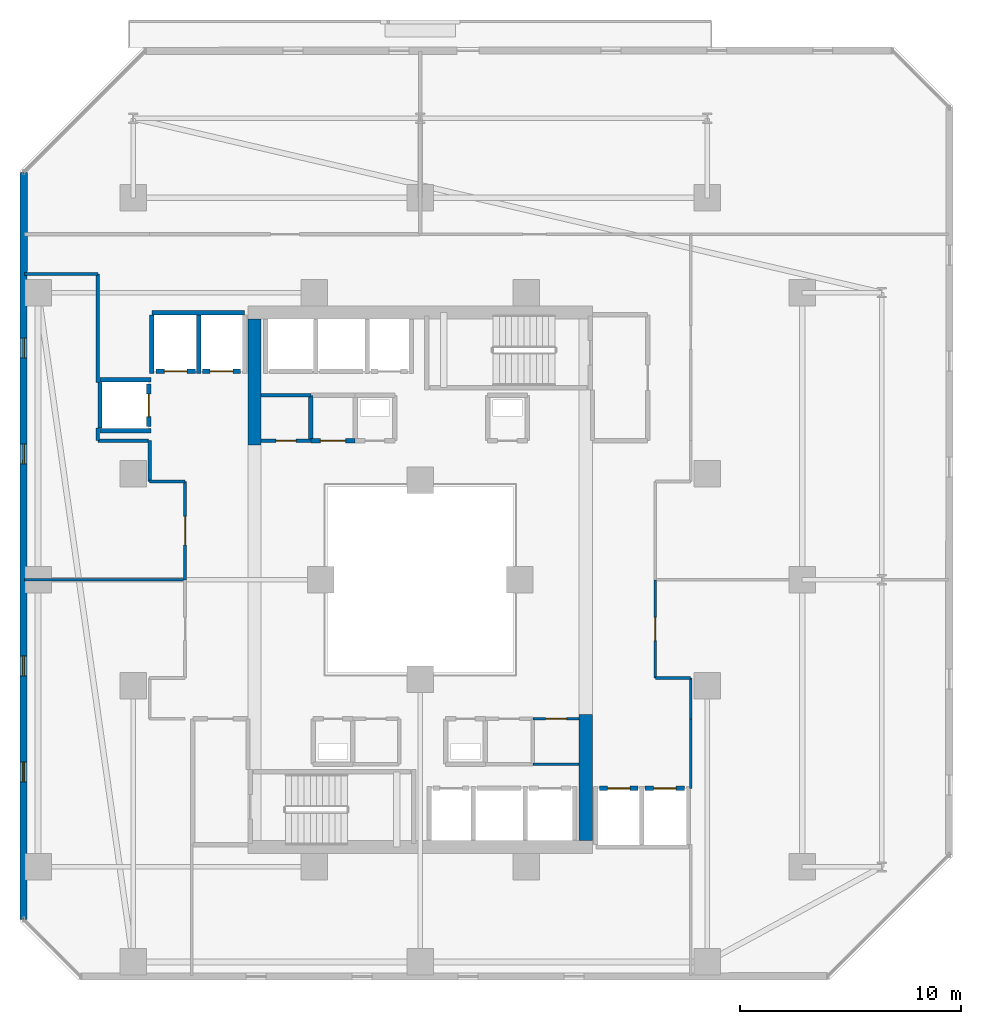
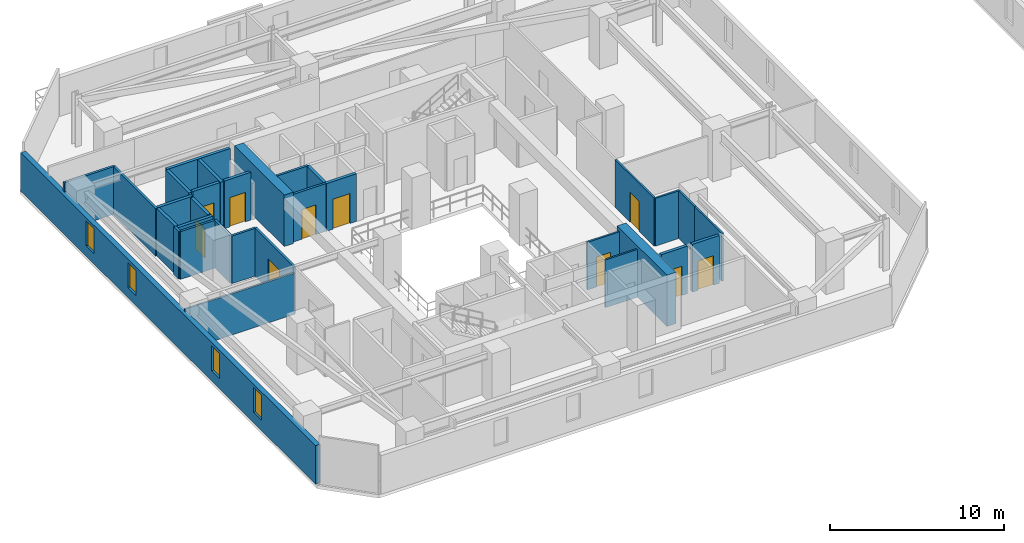
# One storey, part 17 of 29: 32 walls, 10 doors, 4 windows, 14 openings.
"""IFC4 building model written with IfcOpenShell, lengths in metres."""

import ifcopenshell
import ifcopenshell.guid

model = None  # the IFC model being written
_history = None  # IfcOwnerHistory: only IFC2X3 demands one
_inside = {}  # id of a spatial element -> (the spatial element, [elements in it])
_under = {}  # id of a project, library or spatial element -> (it, [spatial elements below it])
_declared = {}  # id of a project -> (the project, [libraries it declares])
_typed = {}  # id of a type object -> (the type object, [elements of that type])
_made_of = {}  # id of a material, layer set ... -> (it, [elements and type objects made of it])


def new_model(schema):
    """Start an empty IFC model of exactly this schema.

    Asked for "IFC4X3", IfcOpenShell would pick the latest addendum, in which some entities
    have other attributes; the version numbers below select the first issue.
    IFC2X3 requires an IfcOwnerHistory on every rooted entity: one is made here for all.
    """
    global model, _history
    if schema == "IFC4X3":
        model = ifcopenshell.file(schema_version=(4, 3, 0, 0))
    else:
        model = ifcopenshell.file(schema=schema)
    _inside.clear()
    _under.clear()
    _declared.clear()
    _typed.clear()
    _made_of.clear()
    _history = None
    if model.schema == "IFC2X3":
        org = make("IfcOrganization", Name="unknown")
        user = make(
            "IfcPersonAndOrganization",
            ThePerson=make("IfcPerson", FamilyName="unknown"),
            TheOrganization=org,
        )
        app = make(
            "IfcApplication",
            ApplicationDeveloper=org,
            Version="unknown",
            ApplicationFullName="unknown",
            ApplicationIdentifier="unknown",
        )
        _history = make(
            "IfcOwnerHistory",
            OwningUser=user,
            OwningApplication=app,
            ChangeAction="ADDED",
            CreationDate=0,
        )
    return model


def make(cls, **values):
    """One entity of the class cls with the attributes given. An attribute that is None is left unset."""
    return model.create_entity(
        cls, **{name: value for name, value in values.items() if value is not None}
    )


def rooted(cls, **values):
    """An entity with a GlobalId (a new one), such as an element, a storey or a relation."""
    return make(cls, GlobalId=ifcopenshell.guid.new(), OwnerHistory=_history, **values)


def si_unit(unit_type, name, prefix=None):
    """IfcSIUnit, for example si_unit("LENGTHUNIT", "METRE", prefix="MILLI")."""
    return make("IfcSIUnit", UnitType=unit_type, Prefix=prefix, Name=name)


def assignment(units):
    """IfcUnitAssignment: the units of a project."""
    return None if units is None else make("IfcUnitAssignment", Units=units)


def point(xyz):
    """IfcCartesianPoint."""
    return None if xyz is None else make("IfcCartesianPoint", Coordinates=xyz)


def direction(xyz):
    """IfcDirection."""
    return None if xyz is None else make("IfcDirection", DirectionRatios=xyz)


def frame(location, z_axis=None, x_axis=None):
    """IfcAxis2Placement3D, a coordinate frame: its origin and axes. An axis left out is left unset."""
    return make(
        "IfcAxis2Placement3D",
        Location=point(location),
        Axis=direction(z_axis),
        RefDirection=direction(x_axis),
    )


def frame_2d(location, x_axis=None):
    """IfcAxis2Placement2D, a coordinate frame in the plane: its origin and x axis."""
    return make(
        "IfcAxis2Placement2D", Location=point(location), RefDirection=direction(x_axis)
    )


def origin():
    """The frame at (0, 0, 0) with its axes left unset."""
    return frame((0.0, 0.0, 0.0))


def place(relative_to, where):
    """IfcLocalPlacement: puts the frame where relative to a parent placement (None: the world)."""
    return make(
        "IfcLocalPlacement", PlacementRelTo=relative_to, RelativePlacement=where
    )


def context(
    kind, dimensions, precision=None, world=None, true_north=None, identifier=None
):
    """IfcGeometricRepresentationContext, for example the 3D "Model" context."""
    return make(
        "IfcGeometricRepresentationContext",
        ContextIdentifier=identifier,
        ContextType=kind,
        CoordinateSpaceDimension=dimensions,
        Precision=precision,
        WorldCoordinateSystem=world,
        TrueNorth=true_north,
    )


def subcontext(parent, identifier, kind, view, scale=None):
    """IfcGeometricRepresentationSubContext, for example "Body" below "Model"."""
    return make(
        "IfcGeometricRepresentationSubContext",
        ContextIdentifier=identifier,
        ContextType=kind,
        ParentContext=parent,
        TargetScale=scale,
        TargetView=view,
    )


def project(units=None, contexts=None):
    """IfcProject with its units and contexts."""
    return rooted(
        "IfcProject",
        Name="project",
        RepresentationContexts=contexts,
        UnitsInContext=assignment(units),
    )


def spatial(cls, under=None, at=None, **own):
    """A site, building, storey or space (cls), placed at a placement, below another one or the project."""
    s = rooted(cls, ObjectPlacement=at, **own)
    if under is not None:
        _under.setdefault(under.id(), (under, []))[1].append(s)
    return s


def profile(cls, at=None, kind="AREA", **sizes):
    """A parametric profile (cls). Its sizes go by their IFC names, for example OverallWidth=200.0."""
    return make(cls, ProfileType=kind, Position=at, **sizes)


def rectangle(**sizes):
    """IfcRectangleProfileDef."""
    return profile("IfcRectangleProfileDef", **sizes)


def extrude(swept, where, along, depth):
    """IfcExtrudedAreaSolid: the profile swept, set in the frame where, extruded along a direction by depth."""
    return make(
        "IfcExtrudedAreaSolid",
        SweptArea=swept,
        Position=where,
        ExtrudedDirection=direction(along),
        Depth=depth,
    )


def shape(context_of_items, identifier, shape_type, items):
    """IfcShapeRepresentation: the items that make up one representation, for example the "Body"."""
    return make(
        "IfcShapeRepresentation",
        ContextOfItems=context_of_items,
        RepresentationIdentifier=identifier,
        RepresentationType=shape_type,
        Items=items,
    )


def material(Name=None, Category=None):
    """IfcMaterial."""
    return make("IfcMaterial", Name=Name, Category=Category)


def layer(
    of_material, thickness, ventilated=None, Name=None, Category=None, Priority=None
):
    """IfcMaterialLayer: one layer of a wall or slab, of a material (None: an air gap)."""
    return make(
        "IfcMaterialLayer",
        Material=of_material,
        LayerThickness=thickness,
        IsVentilated=ventilated,
        Name=Name,
        Category=Category,
        Priority=Priority,
    )


def layer_set(layers, Name=None):
    """IfcMaterialLayerSet."""
    return make("IfcMaterialLayerSet", MaterialLayers=layers, LayerSetName=Name)


def made_of(thing, what):
    """Note that an element or type object is made of a material, layer set ...; save() writes the relation."""
    if what is not None:
        _made_of.setdefault(what.id(), (what, []))[1].append(thing)
    return thing


def type_object(cls, material=None, **own):
    """A type object (cls), such as IfcWallType, which elements share."""
    return made_of(rooted(cls, **own), material)


def element(
    cls,
    number,
    at=None,
    inside=None,
    cuts=None,
    type_object=None,
    material=None,
    context=None,
    identifier="Body",
    shape_type=None,
    held_by="IfcProductDefinitionShape",
    body=None,
    shapes=None,
    **own,
):
    """One element of the class cls, such as IfcWall. Its Tag is "e" and its number.

    at: its placement. inside: the storey or other place that contains it. cuts: it is an
    opening in that element (IfcRelVoidsElement). A single representation is given by context,
    identifier, shape_type and body (its items); several are given by shapes. held_by: the class
    of the entity that holds the representations. save() writes the other relations.
    """
    e = rooted(cls, Tag="e%d" % number, ObjectPlacement=at, **own)
    if body is not None:
        shapes = [shape(context, identifier, shape_type, body)]
    if shapes is not None:
        e.Representation = make(held_by, Representations=shapes)
    if inside is not None:
        _inside.setdefault(inside.id(), (inside, []))[1].append(e)
    if cuts is not None:
        rooted(
            "IfcRelVoidsElement", RelatingBuildingElement=cuts, RelatedOpeningElement=e
        )
    if type_object is not None:
        _typed.setdefault(type_object.id(), (type_object, []))[1].append(e)
    return made_of(e, material)


def fill(opening, filler):
    """IfcRelFillsElement: the door or window that sits in an opening."""
    return rooted(
        "IfcRelFillsElement",
        RelatingOpeningElement=opening,
        RelatedBuildingElement=filler,
    )


def aggregate(whole, parts):
    """IfcRelAggregates: a whole, such as a stair, and the parts it consists of."""
    return rooted("IfcRelAggregates", RelatingObject=whole, RelatedObjects=parts)


def save(model, path):
    """Write the relations noted so far, then the file.

    IfcRelAggregates (storeys below a building ...), IfcRelContainedInSpatialStructure (elements
    in a storey), IfcRelDefinesByType, IfcRelAssociatesMaterial and IfcRelDeclares: one each for
    every whole, place, type object, material and project.
    """
    for whole, parts in _under.values():
        aggregate(whole, parts)
    for where, things in _inside.values():
        rooted(
            "IfcRelContainedInSpatialStructure",
            RelatedElements=things,
            RelatingStructure=where,
        )
    for kind, things in _typed.values():
        rooted("IfcRelDefinesByType", RelatedObjects=things, RelatingType=kind)
    for what, things in _made_of.values():
        rooted("IfcRelAssociatesMaterial", RelatedObjects=things, RelatingMaterial=what)
    for by, libraries in _declared.values():
        rooted("IfcRelDeclares", RelatingContext=by, RelatedDefinitions=libraries)
    model.write(path)


model = new_model("IFC4")

# Units and contexts
model_context = context("Model", 3, precision=1e-05, world=origin(), true_north=direction((0.0, 1.0)))
body_context = subcontext(model_context, "Body", "Model", "MODEL_VIEW")
ifc_project = project(units=[si_unit("LENGTHUNIT", "METRE"), si_unit("AREAUNIT", "SQUARE_METRE"), si_unit("VOLUMEUNIT", "CUBIC_METRE"), si_unit("PLANEANGLEUNIT", "RADIAN"), si_unit("MASSUNIT", "GRAM", prefix="KILO")], contexts=[model_context])

# Site, building, storey
site_placement = place(None, origin())
site = spatial("IfcSite", under=ifc_project, at=site_placement, CompositionType="ELEMENT")
building_placement = place(site_placement, origin())
building = spatial("IfcBuilding", under=site, at=building_placement, Name="Thornwick Lancets Civic Towers", CompositionType="ELEMENT")
storey_placement = place(building_placement, frame((0.0, 0.0, 83.699951171875)))
storey = spatial("IfcBuildingStorey", under=building, at=storey_placement, Name="L21", CompositionType="ELEMENT", Elevation=83.699951171875)

# Wall, opening, door
ifc_material_1 = material(Name="Concrete blockwork C40/50", Category="masonry")
ifc_layer_1 = layer(ifc_material_1, 0.199951171875, Name="Concrete blockwork C40/50")
ifc_layer_set_1 = layer_set([ifc_layer_1], Name="Concrete blockwork C40/50")
wall_type_1 = type_object("IfcWallType", Name="WALL_COMP_200", PredefinedType="STANDARD", material=ifc_layer_set_1)
wall_1_placement = place(storey_placement, frame((33.6298828125, 17.550048828125, 0.0), z_axis=(0.0, 0.0, 1.0), x_axis=(1.0, 0.0, 0.0)))
wall_1 = element("IfcWall", 1, at=wall_1_placement, inside=storey, type_object=wall_type_1, Name="L21 Hoistway Front Wall PL-AL2", PredefinedType="STANDARD", context=body_context, shape_type="SweptSolid", body=[
    extrude(rectangle(XDim=1.740234375, YDim=0.199951171875, at=frame_2d((0.8701171875, 0.0))), origin(), (0.0, 0.0, 1.0), 3.340087890625),
])
opening_1_placement = place(wall_1_placement, frame((0.360107421875, 0.0, 0.0)))
opening_1 = element("IfcOpeningElement", 2, at=opening_1_placement, cuts=wall_1, Name="Opening LD-PL-AL2", PredefinedType="OPENING", context=body_context, shape_type="SweptSolid", body=[
    extrude(rectangle(XDim=1.02001953125, YDim=2.06005859375, at=frame_2d((0.510009765625, 1.030029296875))), frame((0.0, 0.10986328125, 0.0), z_axis=(0.0, -1.0, 0.0), x_axis=(1.0, 0.0, 0.0)), (0.0, 0.0, 1.0), 0.219970703125),
])
ifc_material_2 = material(Name="Brushed bronze stainless steel", Category="steel")
door_type_1 = type_object("IfcDoorType", Name="DOOR_LIFT_SLIDE", OperationType="SLIDING_TO_LEFT", PredefinedType="DOOR", material=ifc_material_2)
door_1_placement = place(opening_1_placement, origin())
door_1 = element("IfcDoor", 3, at=door_1_placement, inside=storey, type_object=door_type_1, Name="L21 Sliding Lift Landing Door LD-PL-AL2", OperationType="SLIDING_TO_LEFT", OverallHeight=2.06005859375, OverallWidth=1.02001953125, PredefinedType="DOOR", context=body_context, shape_type="SweptSolid", body=[
    extrude(rectangle(XDim=1.02001953125, YDim=2.06005859375, at=frame_2d((0.510009765625, 1.030029296875))), frame((0.0, 0.02490234375, 0.0), z_axis=(0.0, -1.0, 0.0), x_axis=(1.0, 0.0, 0.0)), (0.0, 0.0, 1.0), 0.050048828125),
])
fill(opening_1, door_1)

wall_2_placement = place(storey_placement, frame((35.679931640625, 17.550048828125, 0.0), z_axis=(0.0, 0.0, 1.0), x_axis=(1.0, 0.0, 0.0)))
wall_2 = element("IfcWall", 4, at=wall_2_placement, inside=storey, type_object=wall_type_1, Name="L21 Hoistway Front Wall PL-AL3", PredefinedType="STANDARD", context=body_context, shape_type="SweptSolid", body=[
    extrude(rectangle(XDim=1.7900390625, YDim=0.199951171875, at=frame_2d((0.89501953125, 0.0))), origin(), (0.0, 0.0, 1.0), 3.340087890625),
])
opening_2_placement = place(wall_2_placement, frame((0.385009765625, 0.0, 0.0)))
opening_2 = element("IfcOpeningElement", 5, at=opening_2_placement, cuts=wall_2, Name="Opening LD-PL-AL3", PredefinedType="OPENING", context=body_context, shape_type="SweptSolid", body=[
    extrude(rectangle(XDim=1.02001953125, YDim=2.06005859375, at=frame_2d((0.510009765625, 1.030029296875))), frame((0.0, 0.10986328125, 0.0), z_axis=(0.0, -1.0, 0.0), x_axis=(1.0, 0.0, 0.0)), (0.0, 0.0, 1.0), 0.219970703125),
])
door_2_placement = place(opening_2_placement, origin())
door_2 = element("IfcDoor", 6, at=door_2_placement, inside=storey, type_object=door_type_1, Name="L21 Sliding Lift Landing Door LD-PL-AL3", OperationType="SLIDING_TO_LEFT", OverallHeight=2.06005859375, OverallWidth=1.02001953125, PredefinedType="DOOR", context=body_context, shape_type="SweptSolid", body=[
    extrude(rectangle(XDim=1.02001953125, YDim=2.06005859375, at=frame_2d((0.510009765625, 1.030029296875))), frame((0.0, 0.02490234375, 0.0), z_axis=(0.0, -1.0, 0.0), x_axis=(1.0, 0.0, 0.0)), (0.0, 0.0, 1.0), 0.050048828125),
])
fill(opening_2, door_2)

wall_3_placement = place(storey_placement, frame((17.3701171875, 36.449951171875, 0.0), z_axis=(0.0, 0.0, 1.0), x_axis=(-1.0, 0.0, 0.0)))
wall_3 = element("IfcWall", 7, at=wall_3_placement, inside=storey, type_object=wall_type_1, Name="L21 Hoistway Front Wall PL-AM1", PredefinedType="STANDARD", context=body_context, shape_type="SweptSolid", body=[
    extrude(rectangle(XDim=1.740234375, YDim=0.199951171875, at=frame_2d((0.8701171875, 0.0))), origin(), (0.0, 0.0, 1.0), 3.340087890625),
])
opening_3_placement = place(wall_3_placement, frame((0.360107421875, 0.0, 0.0)))
opening_3 = element("IfcOpeningElement", 8, at=opening_3_placement, cuts=wall_3, Name="Opening LD-PL-AM1", PredefinedType="OPENING", context=body_context, shape_type="SweptSolid", body=[
    extrude(rectangle(XDim=1.02001953125, YDim=2.06005859375, at=frame_2d((0.510009765625, 1.030029296875))), frame((0.0, 0.10986328125, 0.0), z_axis=(0.0, -1.0, 0.0), x_axis=(1.0, 0.0, 0.0)), (0.0, 0.0, 1.0), 0.219970703125),
])
door_3_placement = place(opening_3_placement, origin())
door_3 = element("IfcDoor", 9, at=door_3_placement, inside=storey, type_object=door_type_1, Name="L21 Sliding Lift Landing Door LD-PL-AM1", OperationType="SLIDING_TO_LEFT", OverallHeight=2.06005859375, OverallWidth=1.02001953125, PredefinedType="DOOR", context=body_context, shape_type="SweptSolid", body=[
    extrude(rectangle(XDim=1.02001953125, YDim=2.06005859375, at=frame_2d((0.510009765625, 1.030029296875))), frame((0.0, 0.02490234375, 0.0), z_axis=(0.0, -1.0, 0.0), x_axis=(1.0, 0.0, 0.0)), (0.0, 0.0, 1.0), 0.050048828125),
])
fill(opening_3, door_3)

wall_4_placement = place(storey_placement, frame((15.320068359375, 36.449951171875, 0.0), z_axis=(0.0, 0.0, 1.0), x_axis=(-1.0, 0.0, 0.0)))
wall_4 = element("IfcWall", 10, at=wall_4_placement, inside=storey, type_object=wall_type_1, Name="L21 Hoistway Front Wall PL-AM2", PredefinedType="STANDARD", context=body_context, shape_type="SweptSolid", body=[
    extrude(rectangle(XDim=1.7900390625, YDim=0.199951171875, at=frame_2d((0.89501953125, 0.0))), origin(), (0.0, 0.0, 1.0), 3.340087890625),
])
opening_4_placement = place(wall_4_placement, frame((0.385009765625, 0.0, 0.0)))
opening_4 = element("IfcOpeningElement", 11, at=opening_4_placement, cuts=wall_4, Name="Opening LD-PL-AM2", PredefinedType="OPENING", context=body_context, shape_type="SweptSolid", body=[
    extrude(rectangle(XDim=1.02001953125, YDim=2.06005859375, at=frame_2d((0.510009765625, 1.030029296875))), frame((0.0, 0.10986328125, 0.0), z_axis=(0.0, -1.0, 0.0), x_axis=(1.0, 0.0, 0.0)), (0.0, 0.0, 1.0), 0.219970703125),
])
door_4_placement = place(opening_4_placement, origin())
door_4 = element("IfcDoor", 12, at=door_4_placement, inside=storey, type_object=door_type_1, Name="L21 Sliding Lift Landing Door LD-PL-AM2", OperationType="SLIDING_TO_LEFT", OverallHeight=2.06005859375, OverallWidth=1.02001953125, PredefinedType="DOOR", context=body_context, shape_type="SweptSolid", body=[
    extrude(rectangle(XDim=1.02001953125, YDim=2.06005859375, at=frame_2d((0.510009765625, 1.030029296875))), frame((0.0, 0.02490234375, 0.0), z_axis=(0.0, -1.0, 0.0), x_axis=(1.0, 0.0, 0.0)), (0.0, 0.0, 1.0), 0.050048828125),
])
fill(opening_4, door_4)

wall_5_placement = place(storey_placement, frame((13.199951171875, 33.929931640625, 0.0), z_axis=(0.0, 0.0, 1.0), x_axis=(0.0, 1.0, 0.0)))
wall_5 = element("IfcWall", 13, at=wall_5_placement, inside=storey, type_object=wall_type_1, Name="L21 Hoistway Front Wall PL-AM3", PredefinedType="STANDARD", context=body_context, shape_type="SweptSolid", body=[
    extrude(rectangle(XDim=1.940185546875, YDim=0.199951171875, at=frame_2d((0.97021484375, 0.0))), origin(), (0.0, 0.0, 1.0), 3.340087890625),
])
opening_5_placement = place(wall_5_placement, frame((0.4599609375, 0.0, 0.0)))
opening_5 = element("IfcOpeningElement", 14, at=opening_5_placement, cuts=wall_5, Name="Opening LD-PL-AM3", PredefinedType="OPENING", context=body_context, shape_type="SweptSolid", body=[
    extrude(rectangle(XDim=1.02001953125, YDim=2.06005859375, at=frame_2d((0.510009765625, 1.030029296875))), frame((0.0, 0.10986328125, 0.0), z_axis=(0.0, -1.0, 0.0), x_axis=(1.0, 0.0, 0.0)), (0.0, 0.0, 1.0), 0.219970703125),
])
door_5_placement = place(opening_5_placement, origin())
door_5 = element("IfcDoor", 15, at=door_5_placement, inside=storey, type_object=door_type_1, Name="L21 Sliding Lift Landing Door LD-PL-AM3", OperationType="SLIDING_TO_LEFT", OverallHeight=2.06005859375, OverallWidth=1.02001953125, PredefinedType="DOOR", context=body_context, shape_type="SweptSolid", body=[
    extrude(rectangle(XDim=1.02001953125, YDim=2.06005859375, at=frame_2d((0.510009765625, 1.030029296875))), frame((0.0, 0.02490234375, 0.0), z_axis=(0.0, -1.0, 0.0), x_axis=(1.0, 0.0, 0.0)), (0.0, 0.0, 1.0), 0.050048828125),
])
fill(opening_5, door_5)

# Walls
wall_6_placement = place(storey_placement, frame((13.35205078125, 39.10009765625, 0.0), z_axis=(0.0, 0.0, 1.0), x_axis=(1.0, 0.0, 0.0)))
element("IfcWall", 16, at=wall_6_placement, inside=storey, type_object=wall_type_1, Name="L21 Hoistway Shaft Wall PL-AM1 N", PredefinedType="STANDARD", context=body_context, shape_type="SweptSolid", body=[
    extrude(rectangle(XDim=4.196044921875, YDim=0.199951171875, at=frame_2d((2.09814453125, 0.0))), origin(), (0.0, 0.0, 1.0), 3.340087890625),
])
for number, where, z_axis, x_axis, name in (
    (17, (15.47509765625, 36.35205078125, 0.0), (0.0, 0.0, 1.0), (0.0, 1.0, 0.0), "L21 Hoistway Shaft Wall PL-AM1 W"),
    (18, (13.35009765625, 36.35205078125, 0.0), (0.0, 0.0, 1.0), (0.0, 1.0, 0.0), "L21 Hoistway Shaft Wall PL-AM2 W"),
):
    element("IfcWall", number, at=place(storey_placement, frame(where, z_axis=z_axis, x_axis=x_axis)), inside=storey, type_object=wall_type_1, Name=name, PredefinedType="STANDARD", context=body_context, shape_type="SweptSolid", body=[
        extrude(rectangle(XDim=2.635986328125, YDim=0.199951171875, at=frame_2d((1.31787109375, 0.0))), origin(), (0.0, 0.0, 1.0), 3.340087890625),
    ])
for number, where, z_axis, x_axis, name in (
    (19, (11.001953125, 36.050048828125, 0.0), (0.0, 0.0, 1.0), (1.0, 0.0, 0.0), "L21 Hoistway Shaft Wall PL-AM3 N"),
    (20, (11.001953125, 33.75, 0.0), (0.0, 0.0, 1.0), (1.0, 0.0, 0.0), "L21 Hoistway Shaft Wall PL-AM3 S"),
):
    element("IfcWall", number, at=place(storey_placement, frame(where, z_axis=z_axis, x_axis=x_axis)), inside=storey, type_object=wall_type_1, Name=name, PredefinedType="STANDARD", context=body_context, shape_type="SweptSolid", body=[
        extrude(rectangle(XDim=2.296142578125, YDim=0.199951171875, at=frame_2d((1.14794921875, 0.0))), origin(), (0.0, 0.0, 1.0), 3.340087890625),
    ])
wall_7_placement = place(storey_placement, frame((11.0, 33.862060546875, 0.0), z_axis=(0.0, 0.0, 1.0), x_axis=(0.0, 1.0, 0.0)))
element("IfcWall", 21, at=wall_7_placement, inside=storey, type_object=wall_type_1, Name="L21 Hoistway Shaft Wall PL-AM3 W", PredefinedType="STANDARD", context=body_context, shape_type="SweptSolid", body=[
    extrude(rectangle(XDim=2.075927734375, YDim=0.199951171875, at=frame_2d((1.0380859375, 0.0))), origin(), (0.0, 0.0, 1.0), 3.340087890625),
])
wall_8_placement = place(storey_placement, frame((20.550048828125, 33.300048828125, 0.0), z_axis=(0.0, 0.0, 1.0), x_axis=(0.0, 1.0, 0.0)))
element("IfcWall", 22, at=wall_8_placement, inside=storey, type_object=wall_type_1, Name="L21 Partition L21-A-STR E1", PredefinedType="STANDARD", context=body_context, shape_type="SweptSolid", body=[
    extrude(rectangle(XDim=2.050048828125, YDim=0.199951171875, at=frame_2d((1.02490234375, 0.0))), origin(), (0.0, 0.0, 1.0), 3.340087890625),
])

# Wall, opening, door
wall_9_placement = place(storey_placement, frame((22.550048828125, 33.300048828125, 0.0), z_axis=(0.0, 0.0, 1.0), x_axis=(-1.0, 0.0, 0.0)))
wall_9 = element("IfcWall", 23, at=wall_9_placement, inside=storey, type_object=wall_type_1, Name="L21 Partition L21-A-STR E4", PredefinedType="STANDARD", context=body_context, shape_type="SweptSolid", body=[
    extrude(rectangle(XDim=2.0, YDim=0.199951171875, at=frame_2d((1.0, 0.0))), origin(), (0.0, 0.0, 1.0), 3.340087890625),
])
opening_6_placement = place(wall_9_placement, frame((0.425048828125, 0.0, 0.0)))
opening_6 = element("IfcOpeningElement", 24, at=opening_6_placement, cuts=wall_9, Name="Opening D-L21-0979", PredefinedType="OPENING", context=body_context, shape_type="SweptSolid", body=[
    extrude(rectangle(XDim=1.14990234375, YDim=2.10009765625, at=frame_2d((0.574951171875, 1.050048828125))), frame((0.0, 0.10986328125, 0.0), z_axis=(0.0, -1.0, 0.0), x_axis=(1.0, 0.0, 0.0)), (0.0, 0.0, 1.0), 0.219970703125),
])
ifc_material_3 = material(Name="Glazed fire-resisting steel", Category="steel")
door_type_2 = type_object("IfcDoorType", Name="DOOR_LOBBY_FD60", OperationType="NOTDEFINED", PredefinedType="DOOR", material=ifc_material_3)
door_6_placement = place(opening_6_placement, origin())
door_6 = element("IfcDoor", 25, at=door_6_placement, inside=storey, type_object=door_type_2, Name="L21 Tower A Core Records Store Door", OperationType="SINGLE_SWING_RIGHT", OverallHeight=2.10009765625, OverallWidth=1.14990234375, PredefinedType="DOOR", context=body_context, shape_type="SweptSolid", body=[
    extrude(rectangle(XDim=1.14990234375, YDim=2.10009765625, at=frame_2d((0.574951171875, 1.050048828125))), frame((0.0, 0.02490234375, 0.0), z_axis=(0.0, -1.0, 0.0), x_axis=(1.0, 0.0, 0.0)), (0.0, 0.0, 1.0), 0.050048828125),
])
fill(opening_6, door_6)

# Walls
ifc_material_4 = material(Name="Concrete C60/75", Category="concrete")
ifc_layer_2 = layer(ifc_material_4, 0.60009765625, Name="Concrete C60/75")
ifc_layer_set_2 = layer_set([ifc_layer_2], Name="Concrete C60/75")
wall_type_2 = type_object("IfcWallType", Name="WALL_CORE_600", PredefinedType="SHEAR", material=ifc_layer_set_2)
for number, where, z_axis, x_axis, name in (
    (26, (33.0, 15.199951171875, 0.0), (0.0, 0.0, 1.0), (0.0, 1.0, 0.0), "L21 Split Core A1 Shear Wall E"),
    (27, (18.0, 33.10009765625, 0.0), (0.0, 0.0, 1.0), (0.0, 1.0, 0.0), "L21 Split Core A2 Shear Wall W"),
):
    element("IfcWall", number, at=place(storey_placement, frame(where, z_axis=z_axis, x_axis=x_axis)), inside=storey, type_object=wall_type_2, Name=name, PredefinedType="SHEAR", context=body_context, shape_type="SweptSolid", body=[
        extrude(rectangle(XDim=5.699951171875, YDim=0.60009765625, at=frame_2d((2.85009765625, 0.0))), origin(), (0.0, 0.0, 1.0), 3.60009765625),
    ])

# Wall, openings, windows
ifc_material_5 = material(Name="Insulated buff terracotta rainscreen on concrete C40/50", Category="masonry")
ifc_layer_3 = layer(ifc_material_5, 0.320068359375, Name="Insulated buff terracotta rainscreen on concrete C40/50")
ifc_layer_set_3 = layer_set([ifc_layer_3], Name="Insulated buff terracotta rainscreen on concrete C40/50")
wall_type_3 = type_object("IfcWallType", Name="WALL_EXT_TERRA_320", PredefinedType="STANDARD", material=ifc_layer_set_3)
wall_10_placement = place(storey_placement, frame((7.544921875, 45.4482421875, 0.0), z_axis=(0.0, 0.0, 1.0), x_axis=(-0.000281454314, -0.999999960392, 0.0)))
wall_10 = element("IfcWall", 28, at=wall_10_placement, inside=storey, type_object=wall_type_3, Name="L21 Tower A Terracotta Facade Wall E6", PredefinedType="STANDARD", context=body_context, shape_type="SweptSolid", body=[
    extrude(rectangle(XDim=33.82958984375, YDim=0.320068359375, at=frame_2d((16.914794921875, 0.0))), origin(), (0.0, 0.0, 1.0), 2.699951171875),
])
opening_7_placement = place(wall_10_placement, frame((7.5, 0.0, 0.719970703125)))
opening_7 = element("IfcOpeningElement", 29, at=opening_7_placement, cuts=wall_10, Name="Opening WL-01", PredefinedType="OPENING", context=body_context, shape_type="SweptSolid", body=[
    extrude(rectangle(XDim=0.89990234375, YDim=1.75, at=frame_2d((0.449951171875, 0.875))), frame((0.0, 0.169921875, 0.0), z_axis=(0.0, -1.0, 0.0), x_axis=(1.0, 0.0, 0.0)), (0.0, 0.0, 1.0), 0.340087890625),
])
opening_8_placement = place(wall_10_placement, frame((12.300048828125, 0.0, 0.719970703125)))
opening_8 = element("IfcOpeningElement", 30, at=opening_8_placement, cuts=wall_10, Name="Opening WL-01", PredefinedType="OPENING", context=body_context, shape_type="SweptSolid", body=[
    extrude(rectangle(XDim=0.89990234375, YDim=1.75, at=frame_2d((0.449951171875, 0.875))), frame((0.0, 0.169921875, 0.0), z_axis=(0.0, -1.0, 0.0), x_axis=(1.0, 0.0, 0.0)), (0.0, 0.0, 1.0), 0.340087890625),
])
opening_9_placement = place(wall_10_placement, frame((21.89990234375, 0.0, 0.719970703125)))
opening_9 = element("IfcOpeningElement", 31, at=opening_9_placement, cuts=wall_10, Name="Opening WL-01", PredefinedType="OPENING", context=body_context, shape_type="SweptSolid", body=[
    extrude(rectangle(XDim=0.89990234375, YDim=1.75, at=frame_2d((0.449951171875, 0.875))), frame((0.0, 0.169921875, 0.0), z_axis=(0.0, -1.0, 0.0), x_axis=(1.0, 0.0, 0.0)), (0.0, 0.0, 1.0), 0.340087890625),
])
opening_10_placement = place(wall_10_placement, frame((26.699951171875, 0.0, 0.719970703125)))
opening_10 = element("IfcOpeningElement", 32, at=opening_10_placement, cuts=wall_10, Name="Opening WL-01", PredefinedType="OPENING", context=body_context, shape_type="SweptSolid", body=[
    extrude(rectangle(XDim=0.89990234375, YDim=1.75, at=frame_2d((0.449951171875, 0.875))), frame((0.0, 0.169921875, 0.0), z_axis=(0.0, -1.0, 0.0), x_axis=(1.0, 0.0, 0.0)), (0.0, 0.0, 1.0), 0.340087890625),
])
ifc_material_6 = material(Name="Clear low-e double glazing in bronze frame", Category="glass")
window_type = type_object("IfcWindowType", Name="WIN_LANCET_900", PartitioningType="SINGLE_PANEL", PredefinedType="WINDOW", material=ifc_material_6)
window_1_placement = place(opening_7_placement, origin())
window_1 = element("IfcWindow", 33, at=window_1_placement, inside=storey, type_object=window_type, Name="L21 Tower A Staggered Lancet Window E6-1", OverallHeight=1.75, OverallWidth=0.89990234375, PartitioningType="SINGLE_PANEL", PredefinedType="WINDOW", context=body_context, shape_type="SweptSolid", body=[
    extrude(rectangle(XDim=0.89990234375, YDim=1.75, at=frame_2d((0.449951171875, 0.875))), frame((0.0, 0.030029296875, 0.0), z_axis=(0.0, -1.0, 0.0), x_axis=(1.0, 0.0, 0.0)), (0.0, 0.0, 1.0), 0.06005859375),
])
fill(opening_7, window_1)
window_2_placement = place(opening_8_placement, origin())
window_2 = element("IfcWindow", 34, at=window_2_placement, inside=storey, type_object=window_type, Name="L21 Tower A Staggered Lancet Window E6-2", OverallHeight=1.75, OverallWidth=0.89990234375, PartitioningType="SINGLE_PANEL", PredefinedType="WINDOW", context=body_context, shape_type="SweptSolid", body=[
    extrude(rectangle(XDim=0.89990234375, YDim=1.75, at=frame_2d((0.449951171875, 0.875))), frame((0.0, 0.030029296875, 0.0), z_axis=(0.0, -1.0, 0.0), x_axis=(1.0, 0.0, 0.0)), (0.0, 0.0, 1.0), 0.06005859375),
])
fill(opening_8, window_2)
window_3_placement = place(opening_9_placement, origin())
window_3 = element("IfcWindow", 35, at=window_3_placement, inside=storey, type_object=window_type, Name="L21 Tower A Staggered Lancet Window E6-3", OverallHeight=1.75, OverallWidth=0.89990234375, PartitioningType="SINGLE_PANEL", PredefinedType="WINDOW", context=body_context, shape_type="SweptSolid", body=[
    extrude(rectangle(XDim=0.89990234375, YDim=1.75, at=frame_2d((0.449951171875, 0.875))), frame((0.0, 0.030029296875, 0.0), z_axis=(0.0, -1.0, 0.0), x_axis=(1.0, 0.0, 0.0)), (0.0, 0.0, 1.0), 0.06005859375),
])
fill(opening_9, window_3)
window_4_placement = place(opening_10_placement, origin())
window_4 = element("IfcWindow", 36, at=window_4_placement, inside=storey, type_object=window_type, Name="L21 Tower A Staggered Lancet Window E6-4", OverallHeight=1.75, OverallWidth=0.89990234375, PartitioningType="SINGLE_PANEL", PredefinedType="WINDOW", context=body_context, shape_type="SweptSolid", body=[
    extrude(rectangle(XDim=0.89990234375, YDim=1.75, at=frame_2d((0.449951171875, 0.875))), frame((0.0, 0.030029296875, 0.0), z_axis=(0.0, -1.0, 0.0), x_axis=(1.0, 0.0, 0.0)), (0.0, 0.0, 1.0), 0.06005859375),
])
fill(opening_10, window_4)

# Wall
ifc_material_7 = material(Name="Acoustic gypsum board partition")
ifc_layer_4 = layer(ifc_material_7, 0.1201171875, Name="Acoustic gypsum board partition")
ifc_layer_set_4 = layer_set([ifc_layer_4], Name="Acoustic gypsum board partition")
wall_type_4 = type_object("IfcWallType", Name="WALL_PART_120", PredefinedType="PARTITIONING", material=ifc_layer_set_4)
wall_11_placement = place(storey_placement, frame((32.699951171875, 18.64990234375, 0.0), z_axis=(0.0, 0.0, 1.0), x_axis=(-1.0, 0.0, 0.0)))
element("IfcWall", 37, at=wall_11_placement, inside=storey, type_object=wall_type_4, Name="L21 Partition L21-A-ITR E2", PredefinedType="PARTITIONING", context=body_context, shape_type="SweptSolid", body=[
    extrude(rectangle(XDim=2.099853515625, YDim=0.1201171875, at=frame_2d((1.0498046875, 0.0))), origin(), (0.0, 0.0, 1.0), 3.340087890625),
])

# Wall, opening, door
wall_12_placement = place(storey_placement, frame((30.60009765625, 20.699951171875, 0.0), z_axis=(0.0, 0.0, 1.0), x_axis=(1.0, 0.0, 0.0)))
wall_12 = element("IfcWall", 38, at=wall_12_placement, inside=storey, type_object=wall_type_4, Name="L21 Partition L21-A-ITR E4", PredefinedType="PARTITIONING", context=body_context, shape_type="SweptSolid", body=[
    extrude(rectangle(XDim=2.099853515625, YDim=0.1201171875, at=frame_2d((1.0498046875, 0.0))), origin(), (0.0, 0.0, 1.0), 3.340087890625),
])
opening_11_placement = place(wall_12_placement, frame((0.574951171875, 0.0, 0.0)))
opening_11 = element("IfcOpeningElement", 39, at=opening_11_placement, cuts=wall_12, Name="Opening D-L21-0977", PredefinedType="OPENING", context=body_context, shape_type="SweptSolid", body=[
    extrude(rectangle(XDim=0.949951171875, YDim=2.10009765625, at=frame_2d((0.47509765625, 1.050048828125))), frame((0.0, 0.070068359375, 0.0), z_axis=(0.0, -1.0, 0.0), x_axis=(1.0, 0.0, 0.0)), (0.0, 0.0, 1.0), 0.14013671875),
])
ifc_material_8 = material(Name="European oak acoustic doorset")
door_type_3 = type_object("IfcDoorType", Name="DOOR_OFFICE_950", OperationType="NOTDEFINED", PredefinedType="DOOR", material=ifc_material_8)
door_7_placement = place(opening_11_placement, origin())
door_7 = element("IfcDoor", 40, at=door_7_placement, inside=storey, type_object=door_type_3, Name="L21 Tower A Comms Patch Room Door", OperationType="SINGLE_SWING_RIGHT", OverallHeight=2.10009765625, OverallWidth=0.949951171875, PredefinedType="DOOR", context=body_context, shape_type="SweptSolid", body=[
    extrude(rectangle(XDim=0.949951171875, YDim=2.10009765625, at=frame_2d((0.47509765625, 1.050048828125))), frame((0.0, 0.02490234375, 0.0), z_axis=(0.0, -1.0, 0.0), x_axis=(1.0, 0.0, 0.0)), (0.0, 0.0, 1.0), 0.050048828125),
])
fill(opening_11, door_7)

# Walls
wall_13_placement = place(storey_placement, frame((7.580078125, 27.0, 0.0), z_axis=(0.0, 0.0, 1.0), x_axis=(1.0, 0.0, 0.0)))
element("IfcWall", 41, at=wall_13_placement, inside=storey, type_object=wall_type_4, Name="L21 Partition L21-A-W1 E2", PredefinedType="PARTITIONING", context=body_context, shape_type="SweptSolid", body=[
    extrude(rectangle(XDim=7.27001953125, YDim=0.1201171875, at=frame_2d((3.635009765625, 0.0))), origin(), (0.0, 0.0, 1.0), 2.881591796875),
])
wall_14_placement = place(storey_placement, frame((37.75, 17.550048828125, 0.0), z_axis=(0.0, 0.0, 1.0), x_axis=(0.0, 1.0, 0.0)))
element("IfcWall", 42, at=wall_14_placement, inside=storey, type_object=wall_type_4, Name="L21 Partition L21-A-E1 E1", PredefinedType="PARTITIONING", context=body_context, shape_type="SweptSolid", body=[
    extrude(rectangle(XDim=3.14990234375, YDim=0.1201171875, at=frame_2d((1.574951171875, 0.0))), origin(), (0.0, 0.0, 1.0), 3.340087890625),
])
wall_15_placement = place(storey_placement, frame((37.75, 20.699951171875, 0.0), z_axis=(0.0, 0.0, 1.0), x_axis=(0.0, 1.0, 0.0)))
element("IfcWall", 43, at=wall_15_placement, inside=storey, type_object=wall_type_4, Name="L21 Partition L21-A-E1 E2", PredefinedType="PARTITIONING", context=body_context, shape_type="SweptSolid", body=[
    extrude(rectangle(XDim=1.85009765625, YDim=0.1201171875, at=frame_2d((0.925048828125, 0.0))), origin(), (0.0, 0.0, 1.0), 3.340087890625),
])
wall_16_placement = place(storey_placement, frame((37.75, 22.550048828125, 0.0), z_axis=(0.0, 0.0, 1.0), x_axis=(-1.0, 0.0, 0.0)))
element("IfcWall", 44, at=wall_16_placement, inside=storey, type_object=wall_type_4, Name="L21 Partition L21-A-E1 E3", PredefinedType="PARTITIONING", context=body_context, shape_type="SweptSolid", body=[
    extrude(rectangle(XDim=1.60009765625, YDim=0.1201171875, at=frame_2d((0.800048828125, 0.0))), origin(), (0.0, 0.0, 1.0), 3.340087890625),
])

# Wall, opening, door
wall_17_placement = place(storey_placement, frame((36.14990234375, 22.550048828125, 0.0), z_axis=(0.0, 0.0, 1.0), x_axis=(0.0, 1.0, 0.0)))
wall_17 = element("IfcWall", 45, at=wall_17_placement, inside=storey, type_object=wall_type_4, Name="L21 Partition L21-A-E1 E4", PredefinedType="PARTITIONING", context=body_context, shape_type="SweptSolid", body=[
    extrude(rectangle(XDim=4.449951171875, YDim=0.1201171875, at=frame_2d((2.22509765625, 0.0))), origin(), (0.0, 0.0, 1.0), 3.340087890625),
])
opening_12_placement = place(wall_17_placement, frame((1.699951171875, 0.0, 0.0)))
opening_12 = element("IfcOpeningElement", 46, at=opening_12_placement, cuts=wall_17, Name="Opening D-L21-0993", PredefinedType="OPENING", context=body_context, shape_type="SweptSolid", body=[
    extrude(rectangle(XDim=1.050048828125, YDim=2.10009765625, at=frame_2d((0.52490234375, 1.050048828125))), frame((0.0, 0.070068359375, 0.0), z_axis=(0.0, -1.0, 0.0), x_axis=(1.0, 0.0, 0.0)), (0.0, 0.0, 1.0), 0.14013671875),
])
ifc_material_9 = material(Name="Glazed European oak executive doorset")
door_type_4 = type_object("IfcDoorType", Name="DOOR_OFFICE_1050", OperationType="NOTDEFINED", PredefinedType="DOOR", material=ifc_material_9)
door_8_placement = place(opening_12_placement, origin())
door_8 = element("IfcDoor", 47, at=door_8_placement, inside=storey, type_object=door_type_4, Name="L21 Tower A Secretariat Open Office E1 Door", OperationType="SINGLE_SWING_RIGHT", OverallHeight=2.10009765625, OverallWidth=1.050048828125, PredefinedType="DOOR", context=body_context, shape_type="SweptSolid", body=[
    extrude(rectangle(XDim=1.050048828125, YDim=2.10009765625, at=frame_2d((0.52490234375, 1.050048828125))), frame((0.0, 0.02490234375, 0.0), z_axis=(0.0, -1.0, 0.0), x_axis=(1.0, 0.0, 0.0)), (0.0, 0.0, 1.0), 0.050048828125),
])
fill(opening_12, door_8)

ifc_material_10 = material(Name="Twin-stud acoustic gypsum board")
ifc_layer_5 = layer(ifc_material_10, 0.14990234375, Name="Twin-stud acoustic gypsum board")
ifc_layer_set_5 = layer_set([ifc_layer_5], Name="Twin-stud acoustic gypsum board")
wall_type_5 = type_object("IfcWallType", Name="WALL_PART_150", PredefinedType="PARTITIONING", material=ifc_layer_set_5)
wall_18_placement = place(storey_placement, frame((18.300048828125, 33.300048828125, 0.0), z_axis=(0.0, 0.0, 1.0), x_axis=(1.0, 0.0, 0.0)))
wall_18 = element("IfcWall", 48, at=wall_18_placement, inside=storey, type_object=wall_type_5, Name="L21 Partition L21-A-AWC E1", PredefinedType="PARTITIONING", context=body_context, shape_type="SweptSolid", body=[
    extrude(rectangle(XDim=2.25, YDim=0.14990234375, at=frame_2d((1.125, 0.0))), origin(), (0.0, 0.0, 1.0), 3.340087890625),
])
opening_13_placement = place(wall_18_placement, frame((0.6650390625, 0.0, 0.0)))
opening_13 = element("IfcOpeningElement", 49, at=opening_13_placement, cuts=wall_18, Name="Opening D-L21-0978", PredefinedType="OPENING", context=body_context, shape_type="SweptSolid", body=[
    extrude(rectangle(XDim=0.919921875, YDim=2.080078125, at=frame_2d((0.4599609375, 1.0400390625))), frame((0.0, 0.0849609375, 0.0), z_axis=(0.0, -1.0, 0.0), x_axis=(1.0, 0.0, 0.0)), (0.0, 0.0, 1.0), 0.169921875),
])
ifc_material_11 = material(Name="Moisture-resistant oak doorset")
door_type_5 = type_object("IfcDoorType", Name="DOOR_WC_900", OperationType="NOTDEFINED", PredefinedType="DOOR", material=ifc_material_11)
door_9_placement = place(opening_13_placement, origin())
door_9 = element("IfcDoor", 50, at=door_9_placement, inside=storey, type_object=door_type_5, Name="L21 Tower A Accessible WC Door", OperationType="SINGLE_SWING_LEFT", OverallHeight=2.080078125, OverallWidth=0.919921875, PredefinedType="DOOR", context=body_context, shape_type="SweptSolid", body=[
    extrude(rectangle(XDim=0.919921875, YDim=2.080078125, at=frame_2d((0.4599609375, 1.0400390625))), frame((0.0, 0.02490234375, 0.0), z_axis=(0.0, -1.0, 0.0), x_axis=(1.0, 0.0, 0.0)), (0.0, 0.0, 1.0), 0.050048828125),
])
fill(opening_13, door_9)

# Walls
wall_19_placement = place(storey_placement, frame((20.550048828125, 35.35009765625, 0.0), z_axis=(0.0, 0.0, 1.0), x_axis=(-1.0, 0.0, 0.0)))
element("IfcWall", 51, at=wall_19_placement, inside=storey, type_object=wall_type_5, Name="L21 Partition L21-A-AWC E3", PredefinedType="PARTITIONING", context=body_context, shape_type="SweptSolid", body=[
    extrude(rectangle(XDim=2.25, YDim=0.14990234375, at=frame_2d((1.125, 0.0))), origin(), (0.0, 0.0, 1.0), 3.340087890625),
])
wall_20_placement = place(storey_placement, frame((10.89990234375, 33.300048828125, 0.0), z_axis=(0.0, 0.0, 1.0), x_axis=(1.0, 0.0, 0.0)))
element("IfcWall", 52, at=wall_20_placement, inside=storey, type_object=wall_type_5, Name="L21 Partition L21-A-W2 E1", PredefinedType="PARTITIONING", context=body_context, shape_type="SweptSolid", body=[
    extrude(rectangle(XDim=2.300048828125, YDim=0.14990234375, at=frame_2d((1.14990234375, 0.0))), origin(), (0.0, 0.0, 1.0), 3.340087890625),
])
wall_21_placement = place(storey_placement, frame((13.25, 33.300048828125, 0.0), z_axis=(0.0, 0.0, 1.0), x_axis=(0.0, -1.0, 0.0)))
element("IfcWall", 53, at=wall_21_placement, inside=storey, type_object=wall_type_5, Name="L21 Partition L21-A-W2 E3", PredefinedType="PARTITIONING", context=body_context, shape_type="SweptSolid", body=[
    extrude(rectangle(XDim=1.85009765625, YDim=0.14990234375, at=frame_2d((0.925048828125, 0.0))), origin(), (0.0, 0.0, 1.0), 3.340087890625),
])
wall_22_placement = place(storey_placement, frame((13.25, 31.449951171875, 0.0), z_axis=(0.0, 0.0, 1.0), x_axis=(1.0, 0.0, 0.0)))
element("IfcWall", 54, at=wall_22_placement, inside=storey, type_object=wall_type_5, Name="L21 Partition L21-A-W2 E4", PredefinedType="PARTITIONING", context=body_context, shape_type="SweptSolid", body=[
    extrude(rectangle(XDim=1.60009765625, YDim=0.14990234375, at=frame_2d((0.800048828125, 0.0))), origin(), (0.0, 0.0, 1.0), 3.340087890625),
])

# Wall, opening, door
wall_23_placement = place(storey_placement, frame((14.85009765625, 31.449951171875, 0.0), z_axis=(0.0, 0.0, 1.0), x_axis=(0.0, -1.0, 0.0)))
wall_23 = element("IfcWall", 55, at=wall_23_placement, inside=storey, type_object=wall_type_5, Name="L21 Partition L21-A-W2 E5", PredefinedType="PARTITIONING", context=body_context, shape_type="SweptSolid", body=[
    extrude(rectangle(XDim=4.449951171875, YDim=0.14990234375, at=frame_2d((2.22509765625, 0.0))), origin(), (0.0, 0.0, 1.0), 3.340087890625),
])
opening_14_placement = place(wall_23_placement, frame((1.574951171875, 0.0, 0.0)))
opening_14 = element("IfcOpeningElement", 56, at=opening_14_placement, cuts=wall_23, Name="Opening D-L21-0992", PredefinedType="OPENING", context=body_context, shape_type="SweptSolid", body=[
    extrude(rectangle(XDim=1.300048828125, YDim=2.1201171875, at=frame_2d((0.64990234375, 1.06005859375))), frame((0.0, 0.0849609375, 0.0), z_axis=(0.0, -1.0, 0.0), x_axis=(1.0, 0.0, 0.0)), (0.0, 0.0, 1.0), 0.169921875),
])
ifc_material_12 = material(Name="Acoustic oak leaf-and-a-half doorset")
door_type_6 = type_object("IfcDoorType", Name="DOOR_MEET_1300", OperationType="DOUBLE_DOOR_SINGLE_SWING", PredefinedType="DOOR", material=ifc_material_12)
door_10_placement = place(opening_14_placement, origin())
door_10 = element("IfcDoor", 57, at=door_10_placement, inside=storey, type_object=door_type_6, Name="L21 Tower A Policy Briefing Room W2 Door", OperationType="DOUBLE_DOOR_SINGLE_SWING", OverallHeight=2.1201171875, OverallWidth=1.300048828125, PredefinedType="DOOR", context=body_context, shape_type="SweptSolid", body=[
    extrude(rectangle(XDim=1.300048828125, YDim=2.1201171875, at=frame_2d((0.64990234375, 1.06005859375))), frame((0.0, 0.02490234375, 0.0), z_axis=(0.0, -1.0, 0.0), x_axis=(1.0, 0.0, 0.0)), (0.0, 0.0, 1.0), 0.050048828125),
])
fill(opening_14, door_10)

# Walls
wall_24_placement = place(storey_placement, frame((7.580078125, 40.85009765625, 0.0), z_axis=(0.0, 0.0, 1.0), x_axis=(1.0, 0.0, 0.0)))
element("IfcWall", 58, at=wall_24_placement, inside=storey, type_object=wall_type_5, Name="L21 Partition L21-A-W2 E8", PredefinedType="PARTITIONING", context=body_context, shape_type="SweptSolid", body=[
    extrude(rectangle(XDim=3.31982421875, YDim=0.14990234375, at=frame_2d((1.659912109375, 0.0))), origin(), (0.0, 0.0, 1.0), 3.340087890625),
])
wall_25_placement = place(storey_placement, frame((10.89990234375, 40.85009765625, 0.0), z_axis=(0.0, 0.0, 1.0), x_axis=(0.0, -1.0, 0.0)))
element("IfcWall", 59, at=wall_25_placement, inside=storey, type_object=wall_type_5, Name="L21 Partition L21-A-W2 E9", PredefinedType="PARTITIONING", context=body_context, shape_type="SweptSolid", body=[
    extrude(rectangle(XDim=4.912109375, YDim=0.14990234375, at=frame_2d((2.4560546875, 0.0))), origin(), (0.0, 0.0, 1.0), 3.340087890625),
])
wall_26_placement = place(storey_placement, frame((10.89990234375, 33.862060546875, 0.0), z_axis=(0.0, 0.0, 1.0), x_axis=(0.0, -1.0, 0.0)))
element("IfcWall", 60, at=wall_26_placement, inside=storey, type_object=wall_type_5, Name="L21 Partition L21-A-W2 E9", PredefinedType="PARTITIONING", context=body_context, shape_type="SweptSolid", body=[
    extrude(rectangle(XDim=0.56201171875, YDim=0.14990234375, at=frame_2d((0.281005859375, 0.0))), origin(), (0.0, 0.0, 1.0), 3.340087890625),
])

save(model, "model.ifc")
